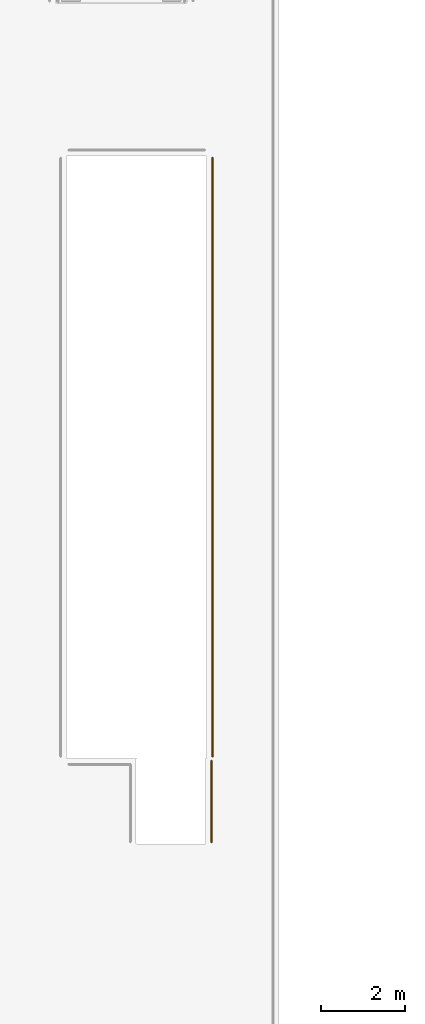
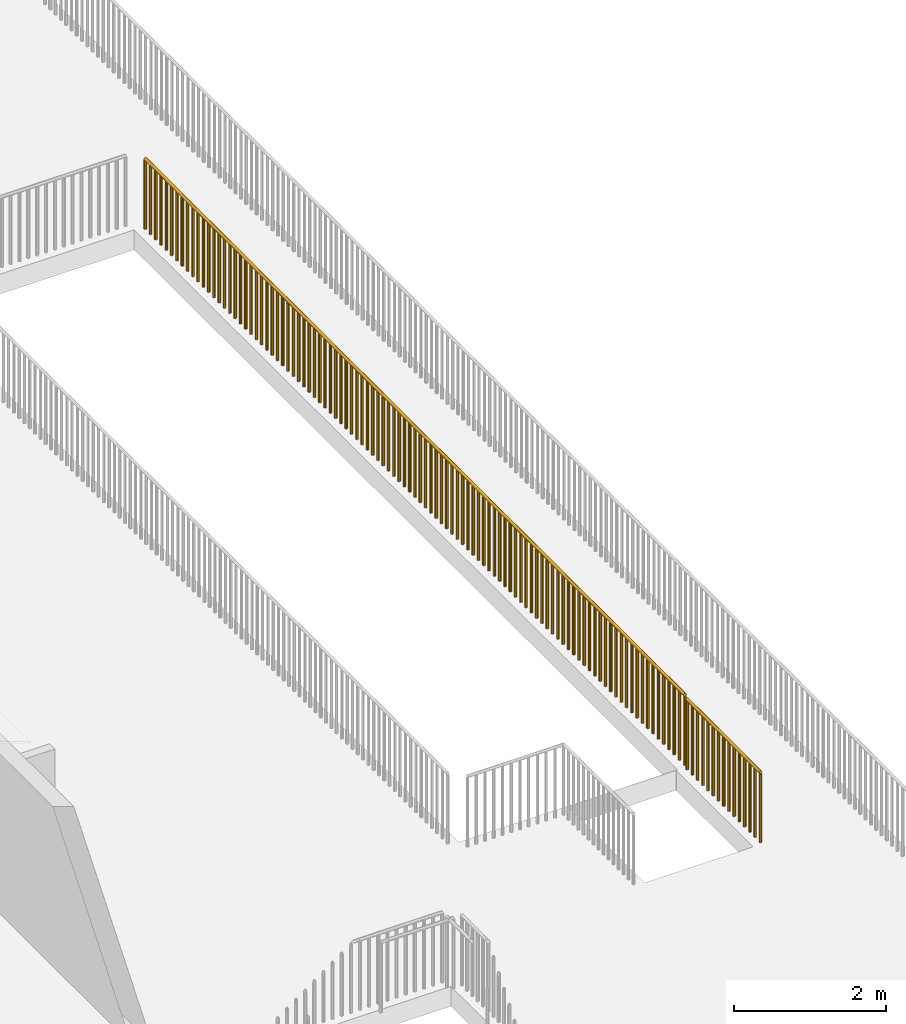
# One storey, part 100 of 104: 2 railings.
"""IFC4 building model written with IfcOpenShell, lengths in metres."""

from ifc_helpers import new_model, si_unit, direction, frame, origin, origin_2d, place, context, subcontext, project, spatial, circle, extrude, material, type_object, element, save


model = new_model("IFC4")

# Units and contexts
model_context = context("Model", 3, precision=1e-05, world=origin(), true_north=direction((0.0, 1.0)))
body_context = subcontext(model_context, "Body", "Model", "MODEL_VIEW")
ifc_project = project(units=[si_unit("LENGTHUNIT", "METRE"), si_unit("AREAUNIT", "SQUARE_METRE"), si_unit("VOLUMEUNIT", "CUBIC_METRE"), si_unit("PLANEANGLEUNIT", "RADIAN"), si_unit("MASSUNIT", "GRAM", prefix="KILO")], contexts=[model_context])

# Site, building, storey
site_placement = place(None, origin())
site = spatial("IfcSite", under=ifc_project, at=site_placement, CompositionType="ELEMENT")
building_placement = place(site_placement, origin())
building = spatial("IfcBuilding", under=site, at=building_placement, Name="Vanh Quang Courtyard School", CompositionType="ELEMENT")
storey_placement = place(building_placement, frame((0.0, 0.0, 4.199951171875)))
storey = spatial("IfcBuildingStorey", under=building, at=storey_placement, Name="L01", CompositionType="ELEMENT", Elevation=4.199951171875)

# Railings
ifc_material = material(Name="Galvanised painted steel EN 10025-2 S355J2", Category="steel")
railing_type = type_object("IfcRailingType", Name="RAIL-GUARD-1150", PredefinedType="BALUSTRADE", material=ifc_material)
railing_1_placement = place(storey_placement, frame((128.794921875, 13.235107421875, 0.0)))
element("IfcRailing", 1, at=railing_1_placement, inside=storey, type_object=railing_type, Name="Railing GR-01 (L01)", PredefinedType="BALUSTRADE", context=body_context, shape_type="SweptSolid", body=[
    extrude(circle(Radius=0.02392578125, at=origin_2d()), frame((0.0, 0.0, 1.1259765625), z_axis=(0.0, 1.0, 0.0), x_axis=(-1.0, 0.0, 0.0)), (0.0, 0.0, 1.0), 1.929931640625),
    extrude(circle(Radius=0.02099609375, at=origin_2d()), origin(), (0.0, 0.0, 1.0), 1.101806640625),
    extrude(circle(Radius=0.02099609375, at=origin_2d()), frame((0.0, 0.137939453125, 0.0)), (0.0, 0.0, 1.0), 1.101806640625),
    extrude(circle(Radius=0.02099609375, at=origin_2d()), frame((0.0, 0.275634765625, 0.0)), (0.0, 0.0, 1.0), 1.101806640625),
    extrude(circle(Radius=0.02099609375, at=origin_2d()), frame((0.0, 0.41357421875, 0.0)), (0.0, 0.0, 1.0), 1.101806640625),
    extrude(circle(Radius=0.02099609375, at=origin_2d()), frame((0.0, 0.551513671875, 0.0)), (0.0, 0.0, 1.0), 1.101806640625),
    extrude(circle(Radius=0.02099609375, at=origin_2d()), frame((0.0, 0.689208984375, 0.0)), (0.0, 0.0, 1.0), 1.101806640625),
    extrude(circle(Radius=0.02099609375, at=origin_2d()), frame((0.0, 0.8271484375, 0.0)), (0.0, 0.0, 1.0), 1.101806640625),
    extrude(circle(Radius=0.02099609375, at=origin_2d()), frame((0.0, 0.96484375, 0.0)), (0.0, 0.0, 1.0), 1.101806640625),
    extrude(circle(Radius=0.02099609375, at=origin_2d()), frame((0.0, 1.102783203125, 0.0)), (0.0, 0.0, 1.0), 1.101806640625),
    extrude(circle(Radius=0.02099609375, at=origin_2d()), frame((0.0, 1.24072265625, 0.0)), (0.0, 0.0, 1.0), 1.101806640625),
    extrude(circle(Radius=0.02099609375, at=origin_2d()), frame((0.0, 1.37841796875, 0.0)), (0.0, 0.0, 1.0), 1.101806640625),
    extrude(circle(Radius=0.02099609375, at=origin_2d()), frame((0.0, 1.516357421875, 0.0)), (0.0, 0.0, 1.0), 1.101806640625),
    extrude(circle(Radius=0.02099609375, at=origin_2d()), frame((0.0, 1.654296875, 0.0)), (0.0, 0.0, 1.0), 1.101806640625),
    extrude(circle(Radius=0.02099609375, at=origin_2d()), frame((0.0, 1.7919921875, 0.0)), (0.0, 0.0, 1.0), 1.101806640625),
    extrude(circle(Radius=0.02099609375, at=origin_2d()), frame((0.0, 1.929931640625, 0.0)), (0.0, 0.0, 1.0), 1.101806640625),
])
railing_2_placement = place(storey_placement, frame((128.820068359375, 15.27001953125, 0.0)))
element("IfcRailing", 2, at=railing_2_placement, inside=storey, type_object=railing_type, Name="Railing GR-01 (L01)", PredefinedType="BALUSTRADE", context=body_context, shape_type="SweptSolid", body=[
    extrude(circle(Radius=0.02392578125, at=origin_2d()), frame((0.0, 0.0, 1.1259765625), z_axis=(0.0, 1.0, 0.0), x_axis=(-1.0, 0.0, 0.0)), (0.0, 0.0, 1.0), 14.22998046875),
    extrude(circle(Radius=0.02099609375, at=origin_2d()), origin(), (0.0, 0.0, 1.0), 1.101806640625),
    extrude(circle(Radius=0.02099609375, at=origin_2d()), frame((0.0, 0.139404296875, 0.0)), (0.0, 0.0, 1.0), 1.101806640625),
    extrude(circle(Radius=0.02099609375, at=origin_2d()), frame((0.0, 0.279052734375, 0.0)), (0.0, 0.0, 1.0), 1.101806640625),
    extrude(circle(Radius=0.02099609375, at=origin_2d()), frame((0.0, 0.41845703125, 0.0)), (0.0, 0.0, 1.0), 1.101806640625),
    extrude(circle(Radius=0.02099609375, at=origin_2d()), frame((0.0, 0.55810546875, 0.0)), (0.0, 0.0, 1.0), 1.101806640625),
    extrude(circle(Radius=0.02099609375, at=origin_2d()), frame((0.0, 0.697509765625, 0.0)), (0.0, 0.0, 1.0), 1.101806640625),
    extrude(circle(Radius=0.02099609375, at=origin_2d()), frame((0.0, 0.837158203125, 0.0)), (0.0, 0.0, 1.0), 1.101806640625),
    extrude(circle(Radius=0.02099609375, at=origin_2d()), frame((0.0, 0.9765625, 0.0)), (0.0, 0.0, 1.0), 1.101806640625),
    extrude(circle(Radius=0.02099609375, at=origin_2d()), frame((0.0, 1.115966796875, 0.0)), (0.0, 0.0, 1.0), 1.101806640625),
    extrude(circle(Radius=0.02099609375, at=origin_2d()), frame((0.0, 1.255615234375, 0.0)), (0.0, 0.0, 1.0), 1.101806640625),
    extrude(circle(Radius=0.02099609375, at=origin_2d()), frame((0.0, 1.39501953125, 0.0)), (0.0, 0.0, 1.0), 1.101806640625),
    extrude(circle(Radius=0.02099609375, at=origin_2d()), frame((0.0, 1.53466796875, 0.0)), (0.0, 0.0, 1.0), 1.101806640625),
    extrude(circle(Radius=0.02099609375, at=origin_2d()), frame((0.0, 1.674072265625, 0.0)), (0.0, 0.0, 1.0), 1.101806640625),
    extrude(circle(Radius=0.02099609375, at=origin_2d()), frame((0.0, 1.813720703125, 0.0)), (0.0, 0.0, 1.0), 1.101806640625),
    extrude(circle(Radius=0.02099609375, at=origin_2d()), frame((0.0, 1.953125, 0.0)), (0.0, 0.0, 1.0), 1.101806640625),
    extrude(circle(Radius=0.02099609375, at=origin_2d()), frame((0.0, 2.092529296875, 0.0)), (0.0, 0.0, 1.0), 1.101806640625),
    extrude(circle(Radius=0.02099609375, at=origin_2d()), frame((0.0, 2.232177734375, 0.0)), (0.0, 0.0, 1.0), 1.101806640625),
    extrude(circle(Radius=0.02099609375, at=origin_2d()), frame((0.0, 2.37158203125, 0.0)), (0.0, 0.0, 1.0), 1.101806640625),
    extrude(circle(Radius=0.02099609375, at=origin_2d()), frame((0.0, 2.51123046875, 0.0)), (0.0, 0.0, 1.0), 1.101806640625),
    extrude(circle(Radius=0.02099609375, at=origin_2d()), frame((0.0, 2.650634765625, 0.0)), (0.0, 0.0, 1.0), 1.101806640625),
    extrude(circle(Radius=0.02099609375, at=origin_2d()), frame((0.0, 2.790283203125, 0.0)), (0.0, 0.0, 1.0), 1.101806640625),
    extrude(circle(Radius=0.02099609375, at=origin_2d()), frame((0.0, 2.9296875, 0.0)), (0.0, 0.0, 1.0), 1.101806640625),
    extrude(circle(Radius=0.02099609375, at=origin_2d()), frame((0.0, 3.069091796875, 0.0)), (0.0, 0.0, 1.0), 1.101806640625),
    extrude(circle(Radius=0.02099609375, at=origin_2d()), frame((0.0, 3.208740234375, 0.0)), (0.0, 0.0, 1.0), 1.101806640625),
    extrude(circle(Radius=0.02099609375, at=origin_2d()), frame((0.0, 3.34814453125, 0.0)), (0.0, 0.0, 1.0), 1.101806640625),
    extrude(circle(Radius=0.02099609375, at=origin_2d()), frame((0.0, 3.48779296875, 0.0)), (0.0, 0.0, 1.0), 1.101806640625),
    extrude(circle(Radius=0.02099609375, at=origin_2d()), frame((0.0, 3.627197265625, 0.0)), (0.0, 0.0, 1.0), 1.101806640625),
    extrude(circle(Radius=0.02099609375, at=origin_2d()), frame((0.0, 3.766845703125, 0.0)), (0.0, 0.0, 1.0), 1.101806640625),
    extrude(circle(Radius=0.02099609375, at=origin_2d()), frame((0.0, 3.90625, 0.0)), (0.0, 0.0, 1.0), 1.101806640625),
    extrude(circle(Radius=0.02099609375, at=origin_2d()), frame((0.0, 4.0458984375, 0.0)), (0.0, 0.0, 1.0), 1.101806640625),
    extrude(circle(Radius=0.02099609375, at=origin_2d()), frame((0.0, 4.185302734375, 0.0)), (0.0, 0.0, 1.0), 1.101806640625),
    extrude(circle(Radius=0.02099609375, at=origin_2d()), frame((0.0, 4.32470703125, 0.0)), (0.0, 0.0, 1.0), 1.101806640625),
    extrude(circle(Radius=0.02099609375, at=origin_2d()), frame((0.0, 4.46435546875, 0.0)), (0.0, 0.0, 1.0), 1.101806640625),
    extrude(circle(Radius=0.02099609375, at=origin_2d()), frame((0.0, 4.603759765625, 0.0)), (0.0, 0.0, 1.0), 1.101806640625),
    extrude(circle(Radius=0.02099609375, at=origin_2d()), frame((0.0, 4.743408203125, 0.0)), (0.0, 0.0, 1.0), 1.101806640625),
    extrude(circle(Radius=0.02099609375, at=origin_2d()), frame((0.0, 4.8828125, 0.0)), (0.0, 0.0, 1.0), 1.101806640625),
    extrude(circle(Radius=0.02099609375, at=origin_2d()), frame((0.0, 5.0224609375, 0.0)), (0.0, 0.0, 1.0), 1.101806640625),
    extrude(circle(Radius=0.02099609375, at=origin_2d()), frame((0.0, 5.161865234375, 0.0)), (0.0, 0.0, 1.0), 1.101806640625),
    extrude(circle(Radius=0.02099609375, at=origin_2d()), frame((0.0, 5.30126953125, 0.0)), (0.0, 0.0, 1.0), 1.101806640625),
    extrude(circle(Radius=0.02099609375, at=origin_2d()), frame((0.0, 5.44091796875, 0.0)), (0.0, 0.0, 1.0), 1.101806640625),
    extrude(circle(Radius=0.02099609375, at=origin_2d()), frame((0.0, 5.580322265625, 0.0)), (0.0, 0.0, 1.0), 1.101806640625),
    extrude(circle(Radius=0.02099609375, at=origin_2d()), frame((0.0, 5.719970703125, 0.0)), (0.0, 0.0, 1.0), 1.101806640625),
    extrude(circle(Radius=0.02099609375, at=origin_2d()), frame((0.0, 5.859375, 0.0)), (0.0, 0.0, 1.0), 1.101806640625),
    extrude(circle(Radius=0.02099609375, at=origin_2d()), frame((0.0, 5.9990234375, 0.0)), (0.0, 0.0, 1.0), 1.101806640625),
    extrude(circle(Radius=0.02099609375, at=origin_2d()), frame((0.0, 6.138427734375, 0.0)), (0.0, 0.0, 1.0), 1.101806640625),
    extrude(circle(Radius=0.02099609375, at=origin_2d()), frame((0.0, 6.27783203125, 0.0)), (0.0, 0.0, 1.0), 1.101806640625),
    extrude(circle(Radius=0.02099609375, at=origin_2d()), frame((0.0, 6.41748046875, 0.0)), (0.0, 0.0, 1.0), 1.101806640625),
    extrude(circle(Radius=0.02099609375, at=origin_2d()), frame((0.0, 6.556884765625, 0.0)), (0.0, 0.0, 1.0), 1.101806640625),
    extrude(circle(Radius=0.02099609375, at=origin_2d()), frame((0.0, 6.696533203125, 0.0)), (0.0, 0.0, 1.0), 1.101806640625),
    extrude(circle(Radius=0.02099609375, at=origin_2d()), frame((0.0, 6.8359375, 0.0)), (0.0, 0.0, 1.0), 1.101806640625),
    extrude(circle(Radius=0.02099609375, at=origin_2d()), frame((0.0, 6.9755859375, 0.0)), (0.0, 0.0, 1.0), 1.101806640625),
    extrude(circle(Radius=0.02099609375, at=origin_2d()), frame((0.0, 7.114990234375, 0.0)), (0.0, 0.0, 1.0), 1.101806640625),
    extrude(circle(Radius=0.02099609375, at=origin_2d()), frame((0.0, 7.25439453125, 0.0)), (0.0, 0.0, 1.0), 1.101806640625),
    extrude(circle(Radius=0.02099609375, at=origin_2d()), frame((0.0, 7.39404296875, 0.0)), (0.0, 0.0, 1.0), 1.101806640625),
    extrude(circle(Radius=0.02099609375, at=origin_2d()), frame((0.0, 7.533447265625, 0.0)), (0.0, 0.0, 1.0), 1.101806640625),
    extrude(circle(Radius=0.02099609375, at=origin_2d()), frame((0.0, 7.673095703125, 0.0)), (0.0, 0.0, 1.0), 1.101806640625),
    extrude(circle(Radius=0.02099609375, at=origin_2d()), frame((0.0, 7.8125, 0.0)), (0.0, 0.0, 1.0), 1.101806640625),
    extrude(circle(Radius=0.02099609375, at=origin_2d()), frame((0.0, 7.9521484375, 0.0)), (0.0, 0.0, 1.0), 1.101806640625),
    extrude(circle(Radius=0.02099609375, at=origin_2d()), frame((0.0, 8.091552734375, 0.0)), (0.0, 0.0, 1.0), 1.101806640625),
    extrude(circle(Radius=0.02099609375, at=origin_2d()), frame((0.0, 8.23095703125, 0.0)), (0.0, 0.0, 1.0), 1.101806640625),
    extrude(circle(Radius=0.02099609375, at=origin_2d()), frame((0.0, 8.37060546875, 0.0)), (0.0, 0.0, 1.0), 1.101806640625),
    extrude(circle(Radius=0.02099609375, at=origin_2d()), frame((0.0, 8.510009765625, 0.0)), (0.0, 0.0, 1.0), 1.101806640625),
    extrude(circle(Radius=0.02099609375, at=origin_2d()), frame((0.0, 8.649658203125, 0.0)), (0.0, 0.0, 1.0), 1.101806640625),
    extrude(circle(Radius=0.02099609375, at=origin_2d()), frame((0.0, 8.7890625, 0.0)), (0.0, 0.0, 1.0), 1.101806640625),
    extrude(circle(Radius=0.02099609375, at=origin_2d()), frame((0.0, 8.9287109375, 0.0)), (0.0, 0.0, 1.0), 1.101806640625),
    extrude(circle(Radius=0.02099609375, at=origin_2d()), frame((0.0, 9.068115234375, 0.0)), (0.0, 0.0, 1.0), 1.101806640625),
    extrude(circle(Radius=0.02099609375, at=origin_2d()), frame((0.0, 9.20751953125, 0.0)), (0.0, 0.0, 1.0), 1.101806640625),
    extrude(circle(Radius=0.02099609375, at=origin_2d()), frame((0.0, 9.34716796875, 0.0)), (0.0, 0.0, 1.0), 1.101806640625),
    extrude(circle(Radius=0.02099609375, at=origin_2d()), frame((0.0, 9.486572265625, 0.0)), (0.0, 0.0, 1.0), 1.101806640625),
    extrude(circle(Radius=0.02099609375, at=origin_2d()), frame((0.0, 9.626220703125, 0.0)), (0.0, 0.0, 1.0), 1.101806640625),
    extrude(circle(Radius=0.02099609375, at=origin_2d()), frame((0.0, 9.765625, 0.0)), (0.0, 0.0, 1.0), 1.101806640625),
    extrude(circle(Radius=0.02099609375, at=origin_2d()), frame((0.0, 9.9052734375, 0.0)), (0.0, 0.0, 1.0), 1.101806640625),
    extrude(circle(Radius=0.02099609375, at=origin_2d()), frame((0.0, 10.044677734375, 0.0)), (0.0, 0.0, 1.0), 1.101806640625),
    extrude(circle(Radius=0.02099609375, at=origin_2d()), frame((0.0, 10.18408203125, 0.0)), (0.0, 0.0, 1.0), 1.101806640625),
    extrude(circle(Radius=0.02099609375, at=origin_2d()), frame((0.0, 10.32373046875, 0.0)), (0.0, 0.0, 1.0), 1.101806640625),
    extrude(circle(Radius=0.02099609375, at=origin_2d()), frame((0.0, 10.463134765625, 0.0)), (0.0, 0.0, 1.0), 1.101806640625),
    extrude(circle(Radius=0.02099609375, at=origin_2d()), frame((0.0, 10.602783203125, 0.0)), (0.0, 0.0, 1.0), 1.101806640625),
    extrude(circle(Radius=0.02099609375, at=origin_2d()), frame((0.0, 10.7421875, 0.0)), (0.0, 0.0, 1.0), 1.101806640625),
    extrude(circle(Radius=0.02099609375, at=origin_2d()), frame((0.0, 10.8818359375, 0.0)), (0.0, 0.0, 1.0), 1.101806640625),
    extrude(circle(Radius=0.02099609375, at=origin_2d()), frame((0.0, 11.021240234375, 0.0)), (0.0, 0.0, 1.0), 1.101806640625),
    extrude(circle(Radius=0.02099609375, at=origin_2d()), frame((0.0, 11.160888671875, 0.0)), (0.0, 0.0, 1.0), 1.101806640625),
    extrude(circle(Radius=0.02099609375, at=origin_2d()), frame((0.0, 11.30029296875, 0.0)), (0.0, 0.0, 1.0), 1.101806640625),
    extrude(circle(Radius=0.02099609375, at=origin_2d()), frame((0.0, 11.439697265625, 0.0)), (0.0, 0.0, 1.0), 1.101806640625),
    extrude(circle(Radius=0.02099609375, at=origin_2d()), frame((0.0, 11.579345703125, 0.0)), (0.0, 0.0, 1.0), 1.101806640625),
    extrude(circle(Radius=0.02099609375, at=origin_2d()), frame((0.0, 11.71875, 0.0)), (0.0, 0.0, 1.0), 1.101806640625),
    extrude(circle(Radius=0.02099609375, at=origin_2d()), frame((0.0, 11.8583984375, 0.0)), (0.0, 0.0, 1.0), 1.101806640625),
    extrude(circle(Radius=0.02099609375, at=origin_2d()), frame((0.0, 11.997802734375, 0.0)), (0.0, 0.0, 1.0), 1.101806640625),
    extrude(circle(Radius=0.02099609375, at=origin_2d()), frame((0.0, 12.137451171875, 0.0)), (0.0, 0.0, 1.0), 1.101806640625),
    extrude(circle(Radius=0.02099609375, at=origin_2d()), frame((0.0, 12.27685546875, 0.0)), (0.0, 0.0, 1.0), 1.101806640625),
    extrude(circle(Radius=0.02099609375, at=origin_2d()), frame((0.0, 12.416259765625, 0.0)), (0.0, 0.0, 1.0), 1.101806640625),
    extrude(circle(Radius=0.02099609375, at=origin_2d()), frame((0.0, 12.555908203125, 0.0)), (0.0, 0.0, 1.0), 1.101806640625),
    extrude(circle(Radius=0.02099609375, at=origin_2d()), frame((0.0, 12.6953125, 0.0)), (0.0, 0.0, 1.0), 1.101806640625),
    extrude(circle(Radius=0.02099609375, at=origin_2d()), frame((0.0, 12.8349609375, 0.0)), (0.0, 0.0, 1.0), 1.101806640625),
    extrude(circle(Radius=0.02099609375, at=origin_2d()), frame((0.0, 12.974365234375, 0.0)), (0.0, 0.0, 1.0), 1.101806640625),
    extrude(circle(Radius=0.02099609375, at=origin_2d()), frame((0.0, 13.114013671875, 0.0)), (0.0, 0.0, 1.0), 1.101806640625),
    extrude(circle(Radius=0.02099609375, at=origin_2d()), frame((0.0, 13.25341796875, 0.0)), (0.0, 0.0, 1.0), 1.101806640625),
    extrude(circle(Radius=0.02099609375, at=origin_2d()), frame((0.0, 13.392822265625, 0.0)), (0.0, 0.0, 1.0), 1.101806640625),
    extrude(circle(Radius=0.02099609375, at=origin_2d()), frame((0.0, 13.532470703125, 0.0)), (0.0, 0.0, 1.0), 1.101806640625),
    extrude(circle(Radius=0.02099609375, at=origin_2d()), frame((0.0, 13.671875, 0.0)), (0.0, 0.0, 1.0), 1.101806640625),
    extrude(circle(Radius=0.02099609375, at=origin_2d()), frame((0.0, 13.8115234375, 0.0)), (0.0, 0.0, 1.0), 1.101806640625),
    extrude(circle(Radius=0.02099609375, at=origin_2d()), frame((0.0, 13.950927734375, 0.0)), (0.0, 0.0, 1.0), 1.101806640625),
    extrude(circle(Radius=0.02099609375, at=origin_2d()), frame((0.0, 14.090576171875, 0.0)), (0.0, 0.0, 1.0), 1.101806640625),
    extrude(circle(Radius=0.02099609375, at=origin_2d()), frame((0.0, 14.22998046875, 0.0)), (0.0, 0.0, 1.0), 1.101806640625),
])

save(model, "model.ifc")
